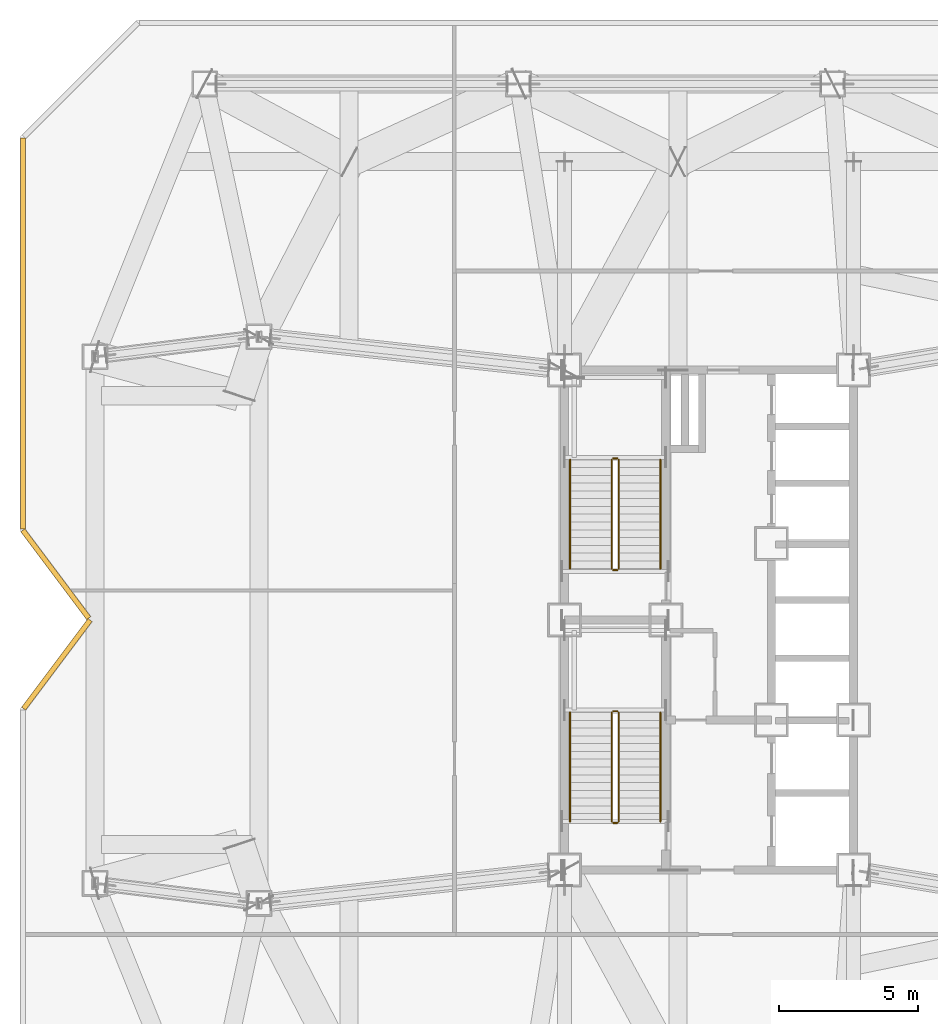
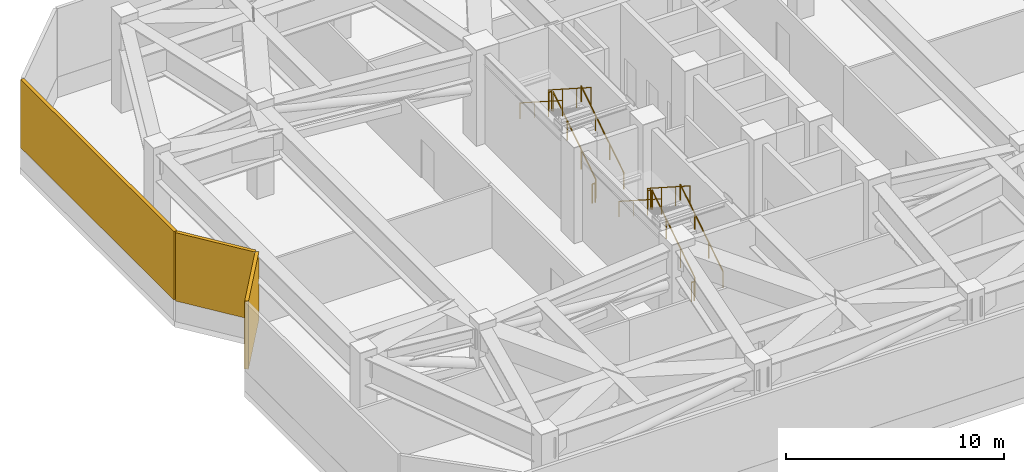
# One storey, part 18 of 19: 12 railings, 3 shading devices.
"""IFC4 building model written with IfcOpenShell, lengths in metres."""

from ifc_helpers import new_model, si_unit, direction, frame, origin, origin_2d, place, context, subcontext, project, spatial, rectangle, circle, extrude, material, type_object, element, save


model = new_model("IFC4")

# Units and contexts
model_context = context("Model", 3, precision=1e-05, world=origin(), true_north=direction((0.0, 1.0)))
body_context = subcontext(model_context, "Body", "Model", "MODEL_VIEW")
ifc_project = project(units=[si_unit("LENGTHUNIT", "METRE"), si_unit("AREAUNIT", "SQUARE_METRE"), si_unit("VOLUMEUNIT", "CUBIC_METRE"), si_unit("PLANEANGLEUNIT", "RADIAN"), si_unit("MASSUNIT", "GRAM", prefix="KILO")], contexts=[model_context])

# Site, building, storey
site_placement = place(None, origin())
site = spatial("IfcSite", under=ifc_project, at=site_placement, CompositionType="ELEMENT")
building_placement = place(site_placement, origin())
building = spatial("IfcBuilding", under=site, at=building_placement, Name="Khamvora Tower", CompositionType="ELEMENT")
storey_placement = place(building_placement, frame((0.0, 0.0, 150.5)))
storey = spatial("IfcBuildingStorey", under=building, at=storey_placement, Name="L38", CompositionType="ELEMENT", Elevation=150.5)

# Railings
ifc_material_1 = material(Name="Brushed Stainless Steel 316", Category="steel")
railing_type_1 = type_object("IfcRailingType", Name="RAL-HDR-920", PredefinedType="HANDRAIL", material=ifc_material_1)
railing_1_placement = place(storey_placement, frame((32.449951171875, 20.75, 0.179931640625)))
element("IfcRailing", 1, at=railing_1_placement, inside=storey, type_object=railing_type_1, Name="L38 ST-01 stair handrail 1", PredefinedType="HANDRAIL", context=body_context, shape_type="SweptSolid", body=[
    extrude(circle(Radius=0.02392578125, at=origin_2d()), frame((0.0, 0.0, 0.8759765625), z_axis=(0.0, 0.841171666519, 0.540768182723), x_axis=(-1.0, 0.0, 0.0)), (0.0, 0.0, 1.0), 4.66015625),
    extrude(circle(Radius=0.02099609375, at=origin_2d()), origin(), (0.0, 0.0, 1.0), 0.851806640625),
    extrude(circle(Radius=0.02099609375, at=origin_2d()), frame((0.0, 1.306640625, 0.840087890625)), (0.0, 0.0, 1.0), 0.851806640625),
    extrude(circle(Radius=0.02099609375, at=origin_2d()), frame((0.0, 2.61328125, 1.679931640625)), (0.0, 0.0, 1.0), 0.851806640625),
    extrude(circle(Radius=0.02099609375, at=origin_2d()), frame((0.0, 3.919921875, 2.52001953125)), (0.0, 0.0, 1.0), 0.851806640625),
])
railing_2_placement = place(storey_placement, frame((29.199951171875, 24.669921875, 2.8798828125)))
element("IfcRailing", 2, at=railing_2_placement, inside=storey, type_object=railing_type_1, Name="L38 ST-01 stair handrail 2", PredefinedType="HANDRAIL", context=body_context, shape_type="SweptSolid", body=[
    extrude(circle(Radius=0.02392578125, at=origin_2d()), frame((0.0, 0.0, 0.8759765625), z_axis=(0.0, -0.841171666519, 0.540768182723), x_axis=(1.0, 0.0, 0.0)), (0.0, 0.0, 1.0), 4.66015625),
    extrude(circle(Radius=0.02099609375, at=origin_2d()), origin(), (0.0, 0.0, 1.0), 0.851806640625),
    extrude(circle(Radius=0.02099609375, at=origin_2d()), frame((0.0, -1.306640625, 0.840087890625)), (0.0, 0.0, 1.0), 0.851806640625),
    extrude(circle(Radius=0.02099609375, at=origin_2d()), frame((0.0, -2.61328125, 1.679931640625)), (0.0, 0.0, 1.0), 0.851806640625),
    extrude(circle(Radius=0.02099609375, at=origin_2d()), frame((0.0, -3.919921875, 2.52001953125)), (0.0, 0.0, 1.0), 0.851806640625),
])
railing_3_placement = place(storey_placement, frame((32.449951171875, 29.85009765625, 0.179931640625)))
element("IfcRailing", 3, at=railing_3_placement, inside=storey, type_object=railing_type_1, Name="L38 ST-02 stair handrail 1", PredefinedType="HANDRAIL", context=body_context, shape_type="SweptSolid", body=[
    extrude(circle(Radius=0.02392578125, at=origin_2d()), frame((0.0, 0.0, 0.8759765625), z_axis=(0.0, 0.841171666519, 0.540768182723), x_axis=(-1.0, 0.0, 0.0)), (0.0, 0.0, 1.0), 4.66015625),
    extrude(circle(Radius=0.02099609375, at=origin_2d()), origin(), (0.0, 0.0, 1.0), 0.851806640625),
    extrude(circle(Radius=0.02099609375, at=origin_2d()), frame((0.0, 1.306640625, 0.840087890625)), (0.0, 0.0, 1.0), 0.851806640625),
    extrude(circle(Radius=0.02099609375, at=origin_2d()), frame((0.0, 2.61328125, 1.679931640625)), (0.0, 0.0, 1.0), 0.851806640625),
    extrude(circle(Radius=0.02099609375, at=origin_2d()), frame((0.0, 3.919921875, 2.52001953125)), (0.0, 0.0, 1.0), 0.851806640625),
])
railing_4_placement = place(storey_placement, frame((29.199951171875, 33.77001953125, 2.8798828125)))
element("IfcRailing", 4, at=railing_4_placement, inside=storey, type_object=railing_type_1, Name="L38 ST-02 stair handrail 2", PredefinedType="HANDRAIL", context=body_context, shape_type="SweptSolid", body=[
    extrude(circle(Radius=0.02392578125, at=origin_2d()), frame((0.0, 0.0, 0.8759765625), z_axis=(0.0, -0.841171666519, 0.540768182723), x_axis=(1.0, 0.0, 0.0)), (0.0, 0.0, 1.0), 4.66015625),
    extrude(circle(Radius=0.02099609375, at=origin_2d()), origin(), (0.0, 0.0, 1.0), 0.851806640625),
    extrude(circle(Radius=0.02099609375, at=origin_2d()), frame((0.0, -1.306640625, 0.840087890625)), (0.0, 0.0, 1.0), 0.851806640625),
    extrude(circle(Radius=0.02099609375, at=origin_2d()), frame((0.0, -2.61328125, 1.679931640625)), (0.0, 0.0, 1.0), 0.851806640625),
    extrude(circle(Radius=0.02099609375, at=origin_2d()), frame((0.0, -3.919921875, 2.52001953125)), (0.0, 0.0, 1.0), 0.851806640625),
])
ifc_material_2 = material(Name="Stainless Steel 316", Category="steel")
railing_type_2 = type_object("IfcRailingType", Name="RAL-STG-1100", PredefinedType="GUARDRAIL", material=ifc_material_2)
railing_5_placement = place(storey_placement, frame((30.949951171875, 20.75, 0.179931640625)))
element("IfcRailing", 5, at=railing_5_placement, inside=storey, type_object=railing_type_2, Name="L38 ST-01 stair guard 1", PredefinedType="GUARDRAIL", context=body_context, shape_type="SweptSolid", body=[
    extrude(circle(Radius=0.02392578125, at=origin_2d()), frame((0.0, 0.0, 1.076171875), z_axis=(0.0, 0.841171666519, 0.540768182723), x_axis=(-1.0, 0.0, 0.0)), (0.0, 0.0, 1.0), 4.66015625),
    extrude(circle(Radius=0.02099609375, at=origin_2d()), origin(), (0.0, 0.0, 1.0), 1.052001953125),
    extrude(circle(Radius=0.02099609375, at=origin_2d()), frame((0.0, 1.306640625, 0.840087890625)), (0.0, 0.0, 1.0), 1.052001953125),
    extrude(circle(Radius=0.02099609375, at=origin_2d()), frame((0.0, 2.61328125, 1.679931640625)), (0.0, 0.0, 1.0), 1.052001953125),
    extrude(circle(Radius=0.02099609375, at=origin_2d()), frame((0.0, 3.919921875, 2.52001953125)), (0.0, 0.0, 1.0), 1.052001953125),
])
railing_6_placement = place(storey_placement, frame((30.89990234375, 24.719970703125, 2.699951171875)))
element("IfcRailing", 6, at=railing_6_placement, inside=storey, type_object=railing_type_2, Name="L38 ST-01 stair guard 2", PredefinedType="GUARDRAIL", context=body_context, shape_type="SweptSolid", body=[
    extrude(circle(Radius=0.02392578125, at=origin_2d()), frame((0.0, 0.0, 1.076171875), z_axis=(-1.0, 0.0, 0.0), x_axis=(0.0, -1.0, 0.0)), (0.0, 0.0, 1.0), 0.14990234375),
    extrude(circle(Radius=0.02099609375, at=origin_2d()), origin(), (0.0, 0.0, 1.0), 1.052001953125),
    extrude(circle(Radius=0.02099609375, at=origin_2d()), frame((-0.14990234375, 0.0, 0.0)), (0.0, 0.0, 1.0), 1.052001953125),
])
railing_7_placement = place(storey_placement, frame((30.699951171875, 24.669921875, 2.8798828125)))
element("IfcRailing", 7, at=railing_7_placement, inside=storey, type_object=railing_type_2, Name="L38 ST-01 stair guard 3", PredefinedType="GUARDRAIL", context=body_context, shape_type="SweptSolid", body=[
    extrude(circle(Radius=0.02392578125, at=origin_2d()), frame((0.0, 0.0, 1.076171875), z_axis=(0.0, -0.841171666519, 0.540768182723), x_axis=(1.0, 0.0, 0.0)), (0.0, 0.0, 1.0), 4.66015625),
    extrude(circle(Radius=0.02099609375, at=origin_2d()), origin(), (0.0, 0.0, 1.0), 1.052001953125),
    extrude(circle(Radius=0.02099609375, at=origin_2d()), frame((0.0, -1.306640625, 0.840087890625)), (0.0, 0.0, 1.0), 1.052001953125),
    extrude(circle(Radius=0.02099609375, at=origin_2d()), frame((0.0, -2.61328125, 1.679931640625)), (0.0, 0.0, 1.0), 1.052001953125),
    extrude(circle(Radius=0.02099609375, at=origin_2d()), frame((0.0, -3.919921875, 2.52001953125)), (0.0, 0.0, 1.0), 1.052001953125),
])
railing_8_placement = place(storey_placement, frame((30.89990234375, 20.699951171875, 0.0)))
element("IfcRailing", 8, at=railing_8_placement, inside=storey, type_object=railing_type_2, Name="L38 ST-01 stair guard 4", PredefinedType="GUARDRAIL", context=body_context, shape_type="SweptSolid", body=[
    extrude(circle(Radius=0.02392578125, at=origin_2d()), frame((0.0, 0.0, 1.076171875), z_axis=(-1.0, 0.0, 0.0), x_axis=(0.0, -1.0, 0.0)), (0.0, 0.0, 1.0), 0.14990234375),
    extrude(circle(Radius=0.02099609375, at=origin_2d()), origin(), (0.0, 0.0, 1.0), 1.052001953125),
    extrude(circle(Radius=0.02099609375, at=origin_2d()), frame((-0.14990234375, 0.0, 0.0)), (0.0, 0.0, 1.0), 1.052001953125),
])
railing_9_placement = place(storey_placement, frame((30.949951171875, 29.85009765625, 0.179931640625)))
element("IfcRailing", 9, at=railing_9_placement, inside=storey, type_object=railing_type_2, Name="L38 ST-02 stair guard 1", PredefinedType="GUARDRAIL", context=body_context, shape_type="SweptSolid", body=[
    extrude(circle(Radius=0.02392578125, at=origin_2d()), frame((0.0, 0.0, 1.076171875), z_axis=(0.0, 0.841171666519, 0.540768182723), x_axis=(-1.0, 0.0, 0.0)), (0.0, 0.0, 1.0), 4.66015625),
    extrude(circle(Radius=0.02099609375, at=origin_2d()), origin(), (0.0, 0.0, 1.0), 1.052001953125),
    extrude(circle(Radius=0.02099609375, at=origin_2d()), frame((0.0, 1.306640625, 0.840087890625)), (0.0, 0.0, 1.0), 1.052001953125),
    extrude(circle(Radius=0.02099609375, at=origin_2d()), frame((0.0, 2.61328125, 1.679931640625)), (0.0, 0.0, 1.0), 1.052001953125),
    extrude(circle(Radius=0.02099609375, at=origin_2d()), frame((0.0, 3.919921875, 2.52001953125)), (0.0, 0.0, 1.0), 1.052001953125),
])
railing_10_placement = place(storey_placement, frame((30.89990234375, 33.820068359375, 2.699951171875)))
element("IfcRailing", 10, at=railing_10_placement, inside=storey, type_object=railing_type_2, Name="L38 ST-02 stair guard 2", PredefinedType="GUARDRAIL", context=body_context, shape_type="SweptSolid", body=[
    extrude(circle(Radius=0.02392578125, at=origin_2d()), frame((0.0, 0.0, 1.076171875), z_axis=(-1.0, 0.0, 0.0), x_axis=(0.0, -1.0, 0.0)), (0.0, 0.0, 1.0), 0.14990234375),
    extrude(circle(Radius=0.02099609375, at=origin_2d()), origin(), (0.0, 0.0, 1.0), 1.052001953125),
    extrude(circle(Radius=0.02099609375, at=origin_2d()), frame((-0.14990234375, 0.0, 0.0)), (0.0, 0.0, 1.0), 1.052001953125),
])
railing_11_placement = place(storey_placement, frame((30.699951171875, 33.77001953125, 2.8798828125)))
element("IfcRailing", 11, at=railing_11_placement, inside=storey, type_object=railing_type_2, Name="L38 ST-02 stair guard 3", PredefinedType="GUARDRAIL", context=body_context, shape_type="SweptSolid", body=[
    extrude(circle(Radius=0.02392578125, at=origin_2d()), frame((0.0, 0.0, 1.076171875), z_axis=(0.0, -0.841171666519, 0.540768182723), x_axis=(1.0, 0.0, 0.0)), (0.0, 0.0, 1.0), 4.66015625),
    extrude(circle(Radius=0.02099609375, at=origin_2d()), origin(), (0.0, 0.0, 1.0), 1.052001953125),
    extrude(circle(Radius=0.02099609375, at=origin_2d()), frame((0.0, -1.306640625, 0.840087890625)), (0.0, 0.0, 1.0), 1.052001953125),
    extrude(circle(Radius=0.02099609375, at=origin_2d()), frame((0.0, -2.61328125, 1.679931640625)), (0.0, 0.0, 1.0), 1.052001953125),
    extrude(circle(Radius=0.02099609375, at=origin_2d()), frame((0.0, -3.919921875, 2.52001953125)), (0.0, 0.0, 1.0), 1.052001953125),
])
railing_12_placement = place(storey_placement, frame((30.89990234375, 29.800048828125, 0.0)))
element("IfcRailing", 12, at=railing_12_placement, inside=storey, type_object=railing_type_2, Name="L38 ST-02 stair guard 4", PredefinedType="GUARDRAIL", context=body_context, shape_type="SweptSolid", body=[
    extrude(circle(Radius=0.02392578125, at=origin_2d()), frame((0.0, 0.0, 1.076171875), z_axis=(-1.0, 0.0, 0.0), x_axis=(0.0, -1.0, 0.0)), (0.0, 0.0, 1.0), 0.14990234375),
    extrude(circle(Radius=0.02099609375, at=origin_2d()), origin(), (0.0, 0.0, 1.0), 1.052001953125),
    extrude(circle(Radius=0.02099609375, at=origin_2d()), frame((-0.14990234375, 0.0, 0.0)), (0.0, 0.0, 1.0), 1.052001953125),
])

# Shading devices
ifc_material_3 = material(Name="Pale Anodised Aluminium 6063-T6", Category="aluminium")
shading_device_type = type_object("IfcShadingDeviceType", Name="SHD-LVR-150", PredefinedType="JALOUSIE", material=ifc_material_3)
shading_device_1_placement = place(storey_placement, frame((10.72705078125, 26.404052734375, 1.14990234375), z_axis=(0.0, 0.0, 1.0), x_axis=(0.600039589506, 0.79997030634, 0.0)))
element("IfcShadingDevice", 13, at=shading_device_1_placement, inside=storey, type_object=shading_device_type, Name="L38 mechanical weather louvre 03.1", PredefinedType="JALOUSIE", context=body_context, shape_type="SweptSolid", body=[
    extrude(rectangle(XDim=3.990966796875, YDim=0.179931640625, at=origin_2d()), origin(), (0.0, 0.0, 1.0), 3.830078125),
])
shading_device_2_placement = place(storey_placement, frame((10.68603515625, 29.65087890625, 1.14990234375), z_axis=(0.0, 0.0, 1.0), x_axis=(-0.600039589506, 0.79997030634, 0.0)))
element("IfcShadingDevice", 14, at=shading_device_2_placement, inside=storey, type_object=shading_device_type, Name="L38 mechanical weather louvre 04.1", PredefinedType="JALOUSIE", context=body_context, shape_type="SweptSolid", body=[
    extrude(rectangle(XDim=3.955078125, YDim=0.179931640625, at=origin_2d()), origin(), (0.0, 0.0, 1.0), 3.830078125),
])
shading_device_3_placement = place(storey_placement, frame((9.5, 38.322021484375, 1.14990234375), z_axis=(0.0, 0.0, 1.0), x_axis=(0.0, 1.0, 0.0)))
element("IfcShadingDevice", 15, at=shading_device_3_placement, inside=storey, type_object=shading_device_type, Name="L38 mechanical weather louvre 05.1", PredefinedType="JALOUSIE", context=body_context, shape_type="SweptSolid", body=[
    extrude(rectangle(XDim=14.074951171875, YDim=0.179931640625, at=origin_2d()), origin(), (0.0, 0.0, 1.0), 3.830078125),
])

save(model, "model.ifc")
